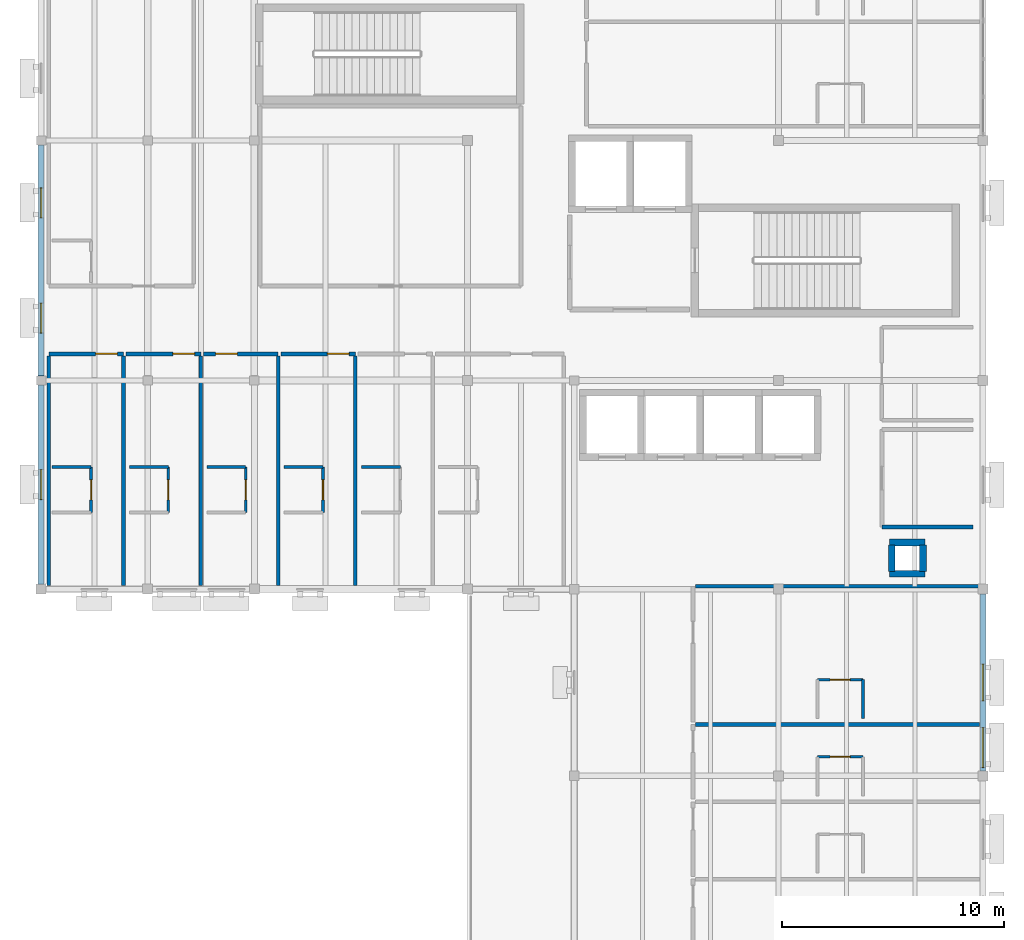
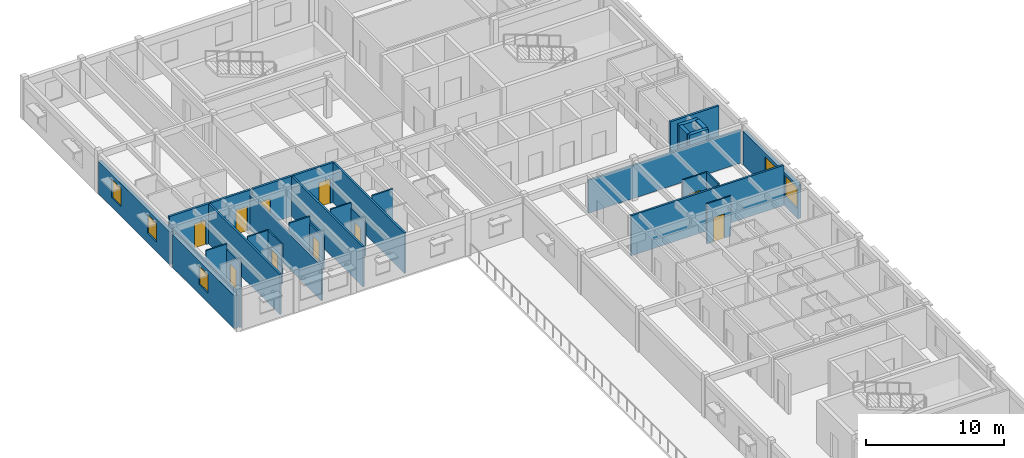
# One storey, part 8 of 18: 31 walls, 10 doors, 5 windows, 15 openings.
"""IFC4 building model written with IfcOpenShell, lengths in metres."""

from ifc_helpers import new_model, si_unit, direction, frame, frame_2d, origin, place, context, subcontext, project, spatial, rectangle, extrude, material, layer, layer_set, type_object, element, fill, save


model = new_model("IFC4")

# Units and contexts
model_context = context("Model", 3, precision=1e-05, world=origin(), true_north=direction((0.0, 1.0)))
body_context = subcontext(model_context, "Body", "Model", "MODEL_VIEW")
ifc_project = project(units=[si_unit("LENGTHUNIT", "METRE"), si_unit("AREAUNIT", "SQUARE_METRE"), si_unit("VOLUMEUNIT", "CUBIC_METRE"), si_unit("PLANEANGLEUNIT", "RADIAN"), si_unit("MASSUNIT", "GRAM", prefix="KILO")], contexts=[model_context])

# Site, building, storey
site_placement = place(None, origin())
site = spatial("IfcSite", under=ifc_project, at=site_placement, CompositionType="ELEMENT")
building_placement = place(site_placement, origin())
building = spatial("IfcBuilding", under=site, at=building_placement, Name="Veldera Park Congress Hotel", CompositionType="ELEMENT")
storey_placement = place(building_placement, frame((0.0, 0.0, 31.39990234375)))
storey = spatial("IfcBuildingStorey", under=building, at=storey_placement, Name="L07", CompositionType="ELEMENT", Elevation=31.39990234375)

# Wall, openings, windows
ifc_material_1 = material(Name="Cross-laminated timber CLT V2M1.1", Category="wood")
ifc_layer_1 = layer(ifc_material_1, 0.280029296875)
ifc_layer_set_1 = layer_set([ifc_layer_1], Name="Cross-laminated timber CLT V2M1.1")
wall_type_1 = type_object("IfcWallType", Name="EW-CLT280", PredefinedType="STANDARD", material=ifc_layer_set_1)
wall_1_placement = place(storey_placement, frame((84.0, 18.822998046875, 0.0), z_axis=(0.0, 0.0, 1.0), x_axis=(0.0, 1.0, 0.0)))
wall_1 = element("IfcWall", 1, at=wall_1_placement, inside=storey, type_object=wall_type_1, Name="L07 Exterior Wall EW3-L07-0348", PredefinedType="STANDARD", context=body_context, shape_type="SweptSolid", body=[
    extrude(rectangle(XDim=7.9541015625, YDim=0.280029296875, at=frame_2d((3.97705078125, 0.0))), origin(), (0.0, 0.0, 1.0), 2.97021484375),
])
opening_1_placement = place(wall_1_placement, frame((3.152099609375, 0.0, 0.85009765625)))
opening_1 = element("IfcOpeningElement", 2, at=opening_1_placement, cuts=wall_1, Name="Opening WIN-1650", PredefinedType="OPENING", context=body_context, shape_type="SweptSolid", body=[
    extrude(rectangle(XDim=1.64990234375, YDim=1.800048828125, at=frame_2d((0.824951171875, 0.89990234375))), frame((0.0, 0.152099609375, 0.0), z_axis=(0.0, -1.0, 0.0), x_axis=(1.0, 0.0, 0.0)), (0.0, 0.0, 1.0), 0.303955078125),
])
opening_2_placement = place(wall_1_placement, frame((0.1435546875, 0.0, 0.85009765625)))
opening_2 = element("IfcOpeningElement", 3, at=opening_2_placement, cuts=wall_1, Name="Opening WIN-1800", PredefinedType="OPENING", context=body_context, shape_type="SweptSolid", body=[
    extrude(rectangle(XDim=1.800048828125, YDim=1.85009765625, at=frame_2d((0.89990234375, 0.925048828125))), frame((0.0, 0.152099609375, 0.0), z_axis=(0.0, -1.0, 0.0), x_axis=(1.0, 0.0, 0.0)), (0.0, 0.0, 1.0), 0.303955078125),
])
ifc_material_2 = material(Name="Low-E Triple Insulating Glass Unit (SHGC 0.22)", Category="glass")
window_type_1 = type_object("IfcWindowType", Name="WIN-1650", PartitioningType="SINGLE_PANEL", PredefinedType="WINDOW", material=ifc_material_2)
window_1_placement = place(opening_1_placement, origin())
window_1 = element("IfcWindow", 4, at=window_1_placement, inside=storey, type_object=window_type_1, Name="L07 Window WIN-1650 261", OverallHeight=1.800048828125, OverallWidth=1.64990234375, PartitioningType="SINGLE_PANEL", PredefinedType="WINDOW", context=body_context, shape_type="SweptSolid", body=[
    extrude(rectangle(XDim=1.64990234375, YDim=1.800048828125, at=frame_2d((0.824951171875, 0.89990234375))), frame((0.0, 0.030029296875, 0.0), z_axis=(0.0, -1.0, 0.0), x_axis=(1.0, 0.0, 0.0)), (0.0, 0.0, 1.0), 0.06005859375),
])
fill(opening_1, window_1)
window_type_2 = type_object("IfcWindowType", Name="WIN-1800", PartitioningType="SINGLE_PANEL", PredefinedType="WINDOW", material=ifc_material_2)
window_2_placement = place(opening_2_placement, origin())
window_2 = element("IfcWindow", 5, at=window_2_placement, inside=storey, type_object=window_type_2, Name="L07 Window WIN-1800 548", OverallHeight=1.85009765625, OverallWidth=1.800048828125, PartitioningType="SINGLE_PANEL", PredefinedType="WINDOW", context=body_context, shape_type="SweptSolid", body=[
    extrude(rectangle(XDim=1.800048828125, YDim=1.85009765625, at=frame_2d((0.89990234375, 0.925048828125))), frame((0.0, 0.030029296875, 0.0), z_axis=(0.0, -1.0, 0.0), x_axis=(1.0, 0.0, 0.0)), (0.0, 0.0, 1.0), 0.06005859375),
])
fill(opening_2, window_2)

wall_2_placement = place(storey_placement, frame((41.60009765625, 46.991943359375, 0.0), z_axis=(0.0, 0.0, 1.0), x_axis=(0.0, -1.0, 0.0)))
wall_2 = element("IfcWall", 6, at=wall_2_placement, inside=storey, type_object=wall_type_1, Name="L07 Exterior Wall EW3-L07-0357", PredefinedType="STANDARD", context=body_context, shape_type="SweptSolid", body=[
    extrude(rectangle(XDim=10.384033203125, YDim=0.280029296875, at=frame_2d((5.19189453125, 0.0))), origin(), (0.0, 0.0, 1.0), 2.91015625),
])
opening_3_placement = place(wall_2_placement, frame((1.9208984375, 0.0, 0.85009765625)))
opening_3 = element("IfcOpeningElement", 7, at=opening_3_placement, cuts=wall_2, Name="Opening WIN-1350", PredefinedType="OPENING", context=body_context, shape_type="SweptSolid", body=[
    extrude(rectangle(XDim=1.35009765625, YDim=1.64990234375, at=frame_2d((0.675048828125, 0.824951171875))), frame((0.0, 0.152099609375, 0.0), z_axis=(0.0, -1.0, 0.0), x_axis=(1.0, 0.0, 0.0)), (0.0, 0.0, 1.0), 0.303955078125),
])
opening_4_placement = place(wall_2_placement, frame((7.113037109375, 0.0, 0.85009765625)))
opening_4 = element("IfcOpeningElement", 8, at=opening_4_placement, cuts=wall_2, Name="Opening WIN-1350", PredefinedType="OPENING", context=body_context, shape_type="SweptSolid", body=[
    extrude(rectangle(XDim=1.35009765625, YDim=1.64990234375, at=frame_2d((0.675048828125, 0.824951171875))), frame((0.0, 0.152099609375, 0.0), z_axis=(0.0, -1.0, 0.0), x_axis=(1.0, 0.0, 0.0)), (0.0, 0.0, 1.0), 0.303955078125),
])
window_type_3 = type_object("IfcWindowType", Name="WIN-1350", PartitioningType="SINGLE_PANEL", PredefinedType="WINDOW", material=ifc_material_2)
window_3_placement = place(opening_3_placement, origin())
window_3 = element("IfcWindow", 9, at=window_3_placement, inside=storey, type_object=window_type_3, Name="L07 Window WIN-1350 270", OverallHeight=1.64990234375, OverallWidth=1.35009765625, PartitioningType="SINGLE_PANEL", PredefinedType="WINDOW", context=body_context, shape_type="SweptSolid", body=[
    extrude(rectangle(XDim=1.35009765625, YDim=1.64990234375, at=frame_2d((0.675048828125, 0.824951171875))), frame((0.0, 0.030029296875, 0.0), z_axis=(0.0, -1.0, 0.0), x_axis=(1.0, 0.0, 0.0)), (0.0, 0.0, 1.0), 0.06005859375),
])
fill(opening_3, window_3)
window_4_placement = place(opening_4_placement, origin())
window_4 = element("IfcWindow", 10, at=window_4_placement, inside=storey, type_object=window_type_3, Name="L07 Window WIN-1350 271", OverallHeight=1.64990234375, OverallWidth=1.35009765625, PartitioningType="SINGLE_PANEL", PredefinedType="WINDOW", context=body_context, shape_type="SweptSolid", body=[
    extrude(rectangle(XDim=1.35009765625, YDim=1.64990234375, at=frame_2d((0.675048828125, 0.824951171875))), frame((0.0, 0.030029296875, 0.0), z_axis=(0.0, -1.0, 0.0), x_axis=(1.0, 0.0, 0.0)), (0.0, 0.0, 1.0), 0.06005859375),
])
fill(opening_4, window_4)

# Wall, opening, window
wall_3_placement = place(storey_placement, frame((41.60009765625, 36.19189453125, 0.0), z_axis=(0.0, 0.0, 1.0), x_axis=(0.0, -1.0, 0.0)))
wall_3 = element("IfcWall", 11, at=wall_3_placement, inside=storey, type_object=wall_type_1, Name="L07 Exterior Wall EW3-L07-0358", PredefinedType="STANDARD", context=body_context, shape_type="SweptSolid", body=[
    extrude(rectangle(XDim=8.968994140625, YDim=0.280029296875, at=frame_2d((4.484375, 0.0))), origin(), (0.0, 0.0, 1.0), 2.93017578125),
])
opening_5_placement = place(wall_3_placement, frame((3.8095703125, 0.0, 0.85009765625)))
opening_5 = element("IfcOpeningElement", 12, at=opening_5_placement, cuts=wall_3, Name="Opening WIN-1350", PredefinedType="OPENING", context=body_context, shape_type="SweptSolid", body=[
    extrude(rectangle(XDim=1.35009765625, YDim=1.64990234375, at=frame_2d((0.675048828125, 0.824951171875))), frame((0.0, 0.152099609375, 0.0), z_axis=(0.0, -1.0, 0.0), x_axis=(1.0, 0.0, 0.0)), (0.0, 0.0, 1.0), 0.303955078125),
])
window_5_placement = place(opening_5_placement, origin())
window_5 = element("IfcWindow", 13, at=window_5_placement, inside=storey, type_object=window_type_3, Name="L07 Window WIN-1350 272", OverallHeight=1.64990234375, OverallWidth=1.35009765625, PartitioningType="SINGLE_PANEL", PredefinedType="WINDOW", context=body_context, shape_type="SweptSolid", body=[
    extrude(rectangle(XDim=1.35009765625, YDim=1.64990234375, at=frame_2d((0.675048828125, 0.824951171875))), frame((0.0, 0.030029296875, 0.0), z_axis=(0.0, -1.0, 0.0), x_axis=(1.0, 0.0, 0.0)), (0.0, 0.0, 1.0), 0.06005859375),
])
fill(opening_5, window_5)

# Wall, opening, door
ifc_material_3 = material(Name="Fire-Rated Gypsum Board on Cold-Formed Steel Studs", Category="steel")
ifc_layer_2 = layer(ifc_material_3, 0.1201171875)
ifc_layer_set_2 = layer_set([ifc_layer_2], Name="Fire-Rated Gypsum Board on Cold-Formed Steel Studs")
wall_type_2 = type_object("IfcWallType", Name="IW-BATH120", PredefinedType="PARTITIONING", material=ifc_layer_set_2)
wall_4_placement = place(storey_placement, frame((76.550048828125, 19.449951171875, 0.0), z_axis=(0.0, 0.0, 1.0), x_axis=(1.0, 0.0, 0.0)))
wall_4 = element("IfcWall", 14, at=wall_4_placement, inside=storey, type_object=wall_type_2, Name="L07 Partition Wall IW3-L07-01425", PredefinedType="PARTITIONING", context=body_context, shape_type="SweptSolid", body=[
    extrude(rectangle(XDim=2.050048828125, YDim=0.1201171875, at=frame_2d((1.02490234375, 0.0))), origin(), (0.0, 0.0, 1.0), 3.55517578125),
])
opening_6_placement = place(wall_4_placement, frame((0.574951171875, 0.0, 0.0)))
opening_6 = element("IfcOpeningElement", 15, at=opening_6_placement, cuts=wall_4, Name="Opening ID-BATH090", PredefinedType="OPENING", context=body_context, shape_type="SweptSolid", body=[
    extrude(rectangle(XDim=0.89990234375, YDim=2.14990234375, at=frame_2d((0.449951171875, 1.074951171875))), frame((0.0, 0.072021484375, 0.0), z_axis=(0.0, -1.0, 0.0), x_axis=(1.0, 0.0, 0.0)), (0.0, 0.0, 1.0), 0.14404296875),
])
ifc_material_4 = material(Name="Solid Core White Oak Architectural Door", Category="wood")
door_type_1 = type_object("IfcDoorType", Name="ID-BATH090", OperationType="NOTDEFINED", PredefinedType="DOOR", material=ifc_material_4)
door_1_placement = place(opening_6_placement, origin())
door_1 = element("IfcDoor", 16, at=door_1_placement, inside=storey, type_object=door_type_1, Name="L07 En-suite 226 Door ID3-L07-0591 (DR3-ID3-L07-0591)", OperationType="SINGLE_SWING_LEFT", OverallHeight=2.14990234375, OverallWidth=0.89990234375, PredefinedType="DOOR", context=body_context, shape_type="SweptSolid", body=[
    extrude(rectangle(XDim=0.89990234375, YDim=2.14990234375, at=frame_2d((0.449951171875, 1.074951171875))), frame((0.0, 0.02490234375, 0.0), z_axis=(0.0, -1.0, 0.0), x_axis=(1.0, 0.0, 0.0)), (0.0, 0.0, 1.0), 0.050048828125),
])
fill(opening_6, door_1)

# Wall
wall_5_placement = place(storey_placement, frame((78.60009765625, 21.179931640625, 0.0), z_axis=(0.0, 0.0, 1.0), x_axis=(0.0, 1.0, 0.0)))
element("IfcWall", 17, at=wall_5_placement, inside=storey, type_object=wall_type_2, Name="L07 Partition Wall IW3-L07-01429", PredefinedType="PARTITIONING", context=body_context, shape_type="SweptSolid", body=[
    extrude(rectangle(XDim=1.75, YDim=0.1201171875, at=frame_2d((0.875, 0.0))), origin(), (0.0, 0.0, 1.0), 3.55517578125),
])

# Wall, opening, door
wall_6_placement = place(storey_placement, frame((76.550048828125, 22.929931640625, 0.0), z_axis=(0.0, 0.0, 1.0), x_axis=(1.0, 0.0, 0.0)))
wall_6 = element("IfcWall", 18, at=wall_6_placement, inside=storey, type_object=wall_type_2, Name="L07 Partition Wall IW3-L07-01430", PredefinedType="PARTITIONING", context=body_context, shape_type="SweptSolid", body=[
    extrude(rectangle(XDim=2.050048828125, YDim=0.1201171875, at=frame_2d((1.02490234375, 0.0))), origin(), (0.0, 0.0, 1.0), 3.55517578125),
])
opening_7_placement = place(wall_6_placement, frame((0.574951171875, 0.0, 0.0)))
opening_7 = element("IfcOpeningElement", 19, at=opening_7_placement, cuts=wall_6, Name="Opening ID-BATH090", PredefinedType="OPENING", context=body_context, shape_type="SweptSolid", body=[
    extrude(rectangle(XDim=0.89990234375, YDim=2.14990234375, at=frame_2d((0.449951171875, 1.074951171875))), frame((0.0, 0.072021484375, 0.0), z_axis=(0.0, -1.0, 0.0), x_axis=(1.0, 0.0, 0.0)), (0.0, 0.0, 1.0), 0.14404296875),
])
door_2_placement = place(opening_7_placement, origin())
door_2 = element("IfcDoor", 20, at=door_2_placement, inside=storey, type_object=door_type_1, Name="L07 En-suite 227 Door ID3-L07-0593 (DR3-ID3-L07-0593)", OperationType="SINGLE_SWING_LEFT", OverallHeight=2.14990234375, OverallWidth=0.89990234375, PredefinedType="DOOR", context=body_context, shape_type="SweptSolid", body=[
    extrude(rectangle(XDim=0.89990234375, YDim=2.14990234375, at=frame_2d((0.449951171875, 1.074951171875))), frame((0.0, 0.02490234375, 0.0), z_axis=(0.0, -1.0, 0.0), x_axis=(1.0, 0.0, 0.0)), (0.0, 0.0, 1.0), 0.050048828125),
])
fill(opening_7, door_2)

# Wall
wall_7_placement = place(storey_placement, frame((42.10009765625, 32.5, 0.0), z_axis=(0.0, 0.0, 1.0), x_axis=(1.0, 0.0, 0.0)))
element("IfcWall", 21, at=wall_7_placement, inside=storey, type_object=wall_type_2, Name="L07 Partition Wall IW3-L07-01434", PredefinedType="PARTITIONING", context=body_context, shape_type="SweptSolid", body=[
    extrude(rectangle(XDim=1.75, YDim=0.1201171875, at=frame_2d((0.875, 0.0))), origin(), (0.0, 0.0, 1.0), 3.55517578125),
])

# Wall, opening, door
wall_8_placement = place(storey_placement, frame((43.85009765625, 30.449951171875, 0.0), z_axis=(0.0, 0.0, 1.0), x_axis=(0.0, 1.0, 0.0)))
wall_8 = element("IfcWall", 22, at=wall_8_placement, inside=storey, type_object=wall_type_2, Name="L07 Partition Wall IW3-L07-01435", PredefinedType="PARTITIONING", context=body_context, shape_type="SweptSolid", body=[
    extrude(rectangle(XDim=2.050048828125, YDim=0.1201171875, at=frame_2d((1.02490234375, 0.0))), origin(), (0.0, 0.0, 1.0), 3.10009765625),
])
opening_8_placement = place(wall_8_placement, frame((0.574951171875, 0.0, 0.0)))
opening_8 = element("IfcOpeningElement", 23, at=opening_8_placement, cuts=wall_8, Name="Opening ID-BATH090", PredefinedType="OPENING", context=body_context, shape_type="SweptSolid", body=[
    extrude(rectangle(XDim=0.89990234375, YDim=2.14990234375, at=frame_2d((0.449951171875, 1.074951171875))), frame((0.0, 0.072021484375, 0.0), z_axis=(0.0, -1.0, 0.0), x_axis=(1.0, 0.0, 0.0)), (0.0, 0.0, 1.0), 0.14404296875),
])
door_3_placement = place(opening_8_placement, origin())
door_3 = element("IfcDoor", 24, at=door_3_placement, inside=storey, type_object=door_type_1, Name="L07 En-suite 228 Door ID3-L07-0595 (DR3-ID3-L07-0595)", OperationType="SINGLE_SWING_LEFT", OverallHeight=2.14990234375, OverallWidth=0.89990234375, PredefinedType="DOOR", context=body_context, shape_type="SweptSolid", body=[
    extrude(rectangle(XDim=0.89990234375, YDim=2.14990234375, at=frame_2d((0.449951171875, 1.074951171875))), frame((0.0, 0.02490234375, 0.0), z_axis=(0.0, -1.0, 0.0), x_axis=(1.0, 0.0, 0.0)), (0.0, 0.0, 1.0), 0.050048828125),
])
fill(opening_8, door_3)

# Wall
wall_9_placement = place(storey_placement, frame((45.580078125, 32.5, 0.0), z_axis=(0.0, 0.0, 1.0), x_axis=(1.0, 0.0, 0.0)))
element("IfcWall", 25, at=wall_9_placement, inside=storey, type_object=wall_type_2, Name="L07 Partition Wall IW3-L07-01439", PredefinedType="PARTITIONING", context=body_context, shape_type="SweptSolid", body=[
    extrude(rectangle(XDim=1.75, YDim=0.1201171875, at=frame_2d((0.875, 0.0))), origin(), (0.0, 0.0, 1.0), 3.55517578125),
])

# Wall, opening, door
wall_10_placement = place(storey_placement, frame((47.330078125, 30.449951171875, 0.0), z_axis=(0.0, 0.0, 1.0), x_axis=(0.0, 1.0, 0.0)))
wall_10 = element("IfcWall", 26, at=wall_10_placement, inside=storey, type_object=wall_type_2, Name="L07 Partition Wall IW3-L07-01440", PredefinedType="PARTITIONING", context=body_context, shape_type="SweptSolid", body=[
    extrude(rectangle(XDim=2.050048828125, YDim=0.1201171875, at=frame_2d((1.02490234375, 0.0))), origin(), (0.0, 0.0, 1.0), 3.55517578125),
])
opening_9_placement = place(wall_10_placement, frame((0.574951171875, 0.0, 0.0)))
opening_9 = element("IfcOpeningElement", 27, at=opening_9_placement, cuts=wall_10, Name="Opening ID-BATH090", PredefinedType="OPENING", context=body_context, shape_type="SweptSolid", body=[
    extrude(rectangle(XDim=0.89990234375, YDim=2.14990234375, at=frame_2d((0.449951171875, 1.074951171875))), frame((0.0, 0.072021484375, 0.0), z_axis=(0.0, -1.0, 0.0), x_axis=(1.0, 0.0, 0.0)), (0.0, 0.0, 1.0), 0.14404296875),
])
door_4_placement = place(opening_9_placement, origin())
door_4 = element("IfcDoor", 28, at=door_4_placement, inside=storey, type_object=door_type_1, Name="L07 En-suite 229 Door ID3-L07-0597 (DR3-ID3-L07-0597)", OperationType="SINGLE_SWING_LEFT", OverallHeight=2.14990234375, OverallWidth=0.89990234375, PredefinedType="DOOR", context=body_context, shape_type="SweptSolid", body=[
    extrude(rectangle(XDim=0.89990234375, YDim=2.14990234375, at=frame_2d((0.449951171875, 1.074951171875))), frame((0.0, 0.02490234375, 0.0), z_axis=(0.0, -1.0, 0.0), x_axis=(1.0, 0.0, 0.0)), (0.0, 0.0, 1.0), 0.050048828125),
])
fill(opening_9, door_4)

# Wall
wall_11_placement = place(storey_placement, frame((49.06005859375, 32.5, 0.0), z_axis=(0.0, 0.0, 1.0), x_axis=(1.0, 0.0, 0.0)))
element("IfcWall", 29, at=wall_11_placement, inside=storey, type_object=wall_type_2, Name="L07 Partition Wall IW3-L07-01444", PredefinedType="PARTITIONING", context=body_context, shape_type="SweptSolid", body=[
    extrude(rectangle(XDim=1.75, YDim=0.1201171875, at=frame_2d((0.875, 0.0))), origin(), (0.0, 0.0, 1.0), 3.55517578125),
])

# Wall, opening, door
wall_12_placement = place(storey_placement, frame((50.81005859375, 30.449951171875, 0.0), z_axis=(0.0, 0.0, 1.0), x_axis=(0.0, 1.0, 0.0)))
wall_12 = element("IfcWall", 30, at=wall_12_placement, inside=storey, type_object=wall_type_2, Name="L07 Partition Wall IW3-L07-01445", PredefinedType="PARTITIONING", context=body_context, shape_type="SweptSolid", body=[
    extrude(rectangle(XDim=2.050048828125, YDim=0.1201171875, at=frame_2d((1.02490234375, 0.0))), origin(), (0.0, 0.0, 1.0), 2.93017578125),
])
opening_10_placement = place(wall_12_placement, frame((0.574951171875, 0.0, 0.0)))
opening_10 = element("IfcOpeningElement", 31, at=opening_10_placement, cuts=wall_12, Name="Opening ID-BATH090", PredefinedType="OPENING", context=body_context, shape_type="SweptSolid", body=[
    extrude(rectangle(XDim=0.89990234375, YDim=2.14990234375, at=frame_2d((0.449951171875, 1.074951171875))), frame((0.0, 0.072021484375, 0.0), z_axis=(0.0, -1.0, 0.0), x_axis=(1.0, 0.0, 0.0)), (0.0, 0.0, 1.0), 0.14404296875),
])
door_5_placement = place(opening_10_placement, origin())
door_5 = element("IfcDoor", 32, at=door_5_placement, inside=storey, type_object=door_type_1, Name="L07 En-suite 230 Door ID3-L07-0599 (DR3-ID3-L07-0599)", OperationType="SINGLE_SWING_LEFT", OverallHeight=2.14990234375, OverallWidth=0.89990234375, PredefinedType="DOOR", context=body_context, shape_type="SweptSolid", body=[
    extrude(rectangle(XDim=0.89990234375, YDim=2.14990234375, at=frame_2d((0.449951171875, 1.074951171875))), frame((0.0, 0.02490234375, 0.0), z_axis=(0.0, -1.0, 0.0), x_axis=(1.0, 0.0, 0.0)), (0.0, 0.0, 1.0), 0.050048828125),
])
fill(opening_10, door_5)

# Wall
wall_13_placement = place(storey_placement, frame((52.5400390625, 32.5, 0.0), z_axis=(0.0, 0.0, 1.0), x_axis=(1.0, 0.0, 0.0)))
element("IfcWall", 33, at=wall_13_placement, inside=storey, type_object=wall_type_2, Name="L07 Partition Wall IW3-L07-01449", PredefinedType="PARTITIONING", context=body_context, shape_type="SweptSolid", body=[
    extrude(rectangle(XDim=1.75, YDim=0.1201171875, at=frame_2d((0.875, 0.0))), origin(), (0.0, 0.0, 1.0), 3.55517578125),
])

# Wall, opening, door
wall_14_placement = place(storey_placement, frame((54.2900390625, 30.449951171875, 0.0), z_axis=(0.0, 0.0, 1.0), x_axis=(0.0, 1.0, 0.0)))
wall_14 = element("IfcWall", 34, at=wall_14_placement, inside=storey, type_object=wall_type_2, Name="L07 Partition Wall IW3-L07-01450", PredefinedType="PARTITIONING", context=body_context, shape_type="SweptSolid", body=[
    extrude(rectangle(XDim=2.050048828125, YDim=0.1201171875, at=frame_2d((1.02490234375, 0.0))), origin(), (0.0, 0.0, 1.0), 3.10009765625),
])
opening_11_placement = place(wall_14_placement, frame((0.574951171875, 0.0, 0.0)))
opening_11 = element("IfcOpeningElement", 35, at=opening_11_placement, cuts=wall_14, Name="Opening ID-BATH090", PredefinedType="OPENING", context=body_context, shape_type="SweptSolid", body=[
    extrude(rectangle(XDim=0.89990234375, YDim=2.14990234375, at=frame_2d((0.449951171875, 1.074951171875))), frame((0.0, 0.072021484375, 0.0), z_axis=(0.0, -1.0, 0.0), x_axis=(1.0, 0.0, 0.0)), (0.0, 0.0, 1.0), 0.14404296875),
])
door_6_placement = place(opening_11_placement, origin())
door_6 = element("IfcDoor", 36, at=door_6_placement, inside=storey, type_object=door_type_1, Name="L07 En-suite 231 Door ID3-L07-0601 (DR3-ID3-L07-0601)", OperationType="SINGLE_SWING_LEFT", OverallHeight=2.14990234375, OverallWidth=0.89990234375, PredefinedType="DOOR", context=body_context, shape_type="SweptSolid", body=[
    extrude(rectangle(XDim=0.89990234375, YDim=2.14990234375, at=frame_2d((0.449951171875, 1.074951171875))), frame((0.0, 0.02490234375, 0.0), z_axis=(0.0, -1.0, 0.0), x_axis=(1.0, 0.0, 0.0)), (0.0, 0.0, 1.0), 0.050048828125),
])
fill(opening_11, door_6)

# Walls
wall_15_placement = place(storey_placement, frame((56.02001953125, 32.5, 0.0), z_axis=(0.0, 0.0, 1.0), x_axis=(1.0, 0.0, 0.0)))
element("IfcWall", 37, at=wall_15_placement, inside=storey, type_object=wall_type_2, Name="L07 Partition Wall IW3-L07-01454", PredefinedType="PARTITIONING", context=body_context, shape_type="SweptSolid", body=[
    extrude(rectangle(XDim=1.75, YDim=0.1201171875, at=frame_2d((0.875, 0.0))), origin(), (0.0, 0.0, 1.0), 3.55517578125),
])
ifc_layer_3 = layer(ifc_material_3, 0.179931640625)
ifc_layer_set_3 = layer_set([ifc_layer_3], Name="Fire-Rated Gypsum Board on Cold-Formed Steel Studs")
wall_type_3 = type_object("IfcWallType", Name="IW-CORR180", PredefinedType="PARTITIONING", material=ifc_layer_set_3)
wall_16_placement = place(storey_placement, frame((79.449951171875, 29.800048828125, 0.0), z_axis=(0.0, 0.0, 1.0), x_axis=(1.0, 0.0, 0.0)))
element("IfcWall", 38, at=wall_16_placement, inside=storey, type_object=wall_type_3, Name="L07 Partition Wall IW3-L07-00290", PredefinedType="PARTITIONING", context=body_context, shape_type="SweptSolid", body=[
    extrude(rectangle(XDim=4.10009765625, YDim=0.179931640625, at=frame_2d((2.050048828125, 0.0))), origin(), (0.0, 0.0, 1.0), 3.55517578125),
])

# Wall, opening, door
wall_17_placement = place(storey_placement, frame((45.31005859375, 37.60009765625, 0.0), z_axis=(0.0, 0.0, 1.0), x_axis=(-1.0, 0.0, 0.0)))
wall_17 = element("IfcWall", 39, at=wall_17_placement, inside=storey, type_object=wall_type_3, Name="L07 Corridor Wall IW3-L07-01431", PredefinedType="PARTITIONING", context=body_context, shape_type="SweptSolid", body=[
    extrude(rectangle(XDim=3.360107421875, YDim=0.179931640625, at=frame_2d((1.68017578125, 0.0))), origin(), (0.0, 0.0, 1.0), 3.55517578125),
])
opening_12_placement = place(wall_17_placement, frame((0.280029296875, 0.0, 0.0)))
opening_12 = element("IfcOpeningElement", 40, at=opening_12_placement, cuts=wall_17, Name="Opening ID-UNIT098", PredefinedType="OPENING", context=body_context, shape_type="SweptSolid", body=[
    extrude(rectangle(XDim=0.97998046875, YDim=2.179931640625, at=frame_2d((0.489990234375, 1.08984375))), frame((0.0, 0.10205078125, 0.0), z_axis=(0.0, -1.0, 0.0), x_axis=(1.0, 0.0, 0.0)), (0.0, 0.0, 1.0), 0.203857421875),
])
door_type_2 = type_object("IfcDoorType", Name="ID-UNIT098", OperationType="NOTDEFINED", PredefinedType="DOOR", material=ifc_material_4)
door_7_placement = place(opening_12_placement, frame((0.97998046875, 0.0, 0.0), z_axis=(0.0, 0.0, 1.0), x_axis=(-1.0, 0.0, 0.0)))
door_7 = element("IfcDoor", 41, at=door_7_placement, inside=storey, type_object=door_type_2, Name="L07 Guestroom 228 Entry Door (DR3-UD3-L07-228)", OperationType="SINGLE_SWING_RIGHT", OverallHeight=2.179931640625, OverallWidth=0.97998046875, PredefinedType="DOOR", context=body_context, shape_type="SweptSolid", body=[
    extrude(rectangle(XDim=0.97998046875, YDim=2.179931640625, at=frame_2d((0.489990234375, 1.08984375))), frame((0.0, 0.02490234375, 0.0), z_axis=(0.0, -1.0, 0.0), x_axis=(1.0, 0.0, 0.0)), (0.0, 0.0, 1.0), 0.050048828125),
])
fill(opening_12, door_7)

wall_18_placement = place(storey_placement, frame((48.7900390625, 37.60009765625, 0.0), z_axis=(0.0, 0.0, 1.0), x_axis=(-1.0, 0.0, 0.0)))
wall_18 = element("IfcWall", 42, at=wall_18_placement, inside=storey, type_object=wall_type_3, Name="L07 Corridor Wall IW3-L07-01437", PredefinedType="PARTITIONING", context=body_context, shape_type="SweptSolid", body=[
    extrude(rectangle(XDim=3.360107421875, YDim=0.179931640625, at=frame_2d((1.68017578125, 0.0))), origin(), (0.0, 0.0, 1.0), 3.55517578125),
])
opening_13_placement = place(wall_18_placement, frame((0.280029296875, 0.0, 0.0)))
opening_13 = element("IfcOpeningElement", 43, at=opening_13_placement, cuts=wall_18, Name="Opening ID-UNIT098", PredefinedType="OPENING", context=body_context, shape_type="SweptSolid", body=[
    extrude(rectangle(XDim=0.97998046875, YDim=2.179931640625, at=frame_2d((0.489990234375, 1.08984375))), frame((0.0, 0.10205078125, 0.0), z_axis=(0.0, -1.0, 0.0), x_axis=(1.0, 0.0, 0.0)), (0.0, 0.0, 1.0), 0.203857421875),
])
door_8_placement = place(opening_13_placement, frame((0.97998046875, 0.0, 0.0), z_axis=(0.0, 0.0, 1.0), x_axis=(-1.0, 0.0, 0.0)))
door_8 = element("IfcDoor", 44, at=door_8_placement, inside=storey, type_object=door_type_2, Name="L07 Guestroom 229 Entry Door (DR3-UD3-L07-229)", OperationType="SINGLE_SWING_RIGHT", OverallHeight=2.179931640625, OverallWidth=0.97998046875, PredefinedType="DOOR", context=body_context, shape_type="SweptSolid", body=[
    extrude(rectangle(XDim=0.97998046875, YDim=2.179931640625, at=frame_2d((0.489990234375, 1.08984375))), frame((0.0, 0.02490234375, 0.0), z_axis=(0.0, -1.0, 0.0), x_axis=(1.0, 0.0, 0.0)), (0.0, 0.0, 1.0), 0.050048828125),
])
fill(opening_13, door_8)

wall_19_placement = place(storey_placement, frame((52.27001953125, 37.60009765625, 0.0), z_axis=(0.0, 0.0, 1.0), x_axis=(-1.0, 0.0, 0.0)))
wall_19 = element("IfcWall", 45, at=wall_19_placement, inside=storey, type_object=wall_type_3, Name="L07 Corridor Wall IW3-L07-01442", PredefinedType="PARTITIONING", context=body_context, shape_type="SweptSolid", body=[
    extrude(rectangle(XDim=3.360107421875, YDim=0.179931640625, at=frame_2d((1.68017578125, 0.0))), origin(), (0.0, 0.0, 1.0), 3.55517578125),
])
opening_14_placement = place(wall_19_placement, frame((1.83203125, 0.0, 0.0)))
opening_14 = element("IfcOpeningElement", 46, at=opening_14_placement, cuts=wall_19, Name="Opening ID-UNIT098", PredefinedType="OPENING", context=body_context, shape_type="SweptSolid", body=[
    extrude(rectangle(XDim=0.97998046875, YDim=2.179931640625, at=frame_2d((0.489990234375, 1.08984375))), frame((0.0, 0.10205078125, 0.0), z_axis=(0.0, -1.0, 0.0), x_axis=(1.0, 0.0, 0.0)), (0.0, 0.0, 1.0), 0.203857421875),
])
door_9_placement = place(opening_14_placement, frame((0.97998046875, 0.0, 0.0), z_axis=(0.0, 0.0, 1.0), x_axis=(-1.0, 0.0, 0.0)))
door_9 = element("IfcDoor", 47, at=door_9_placement, inside=storey, type_object=door_type_2, Name="L07 Guestroom 230 Entry Door (DR3-UD3-L07-230)", OperationType="SINGLE_SWING_RIGHT", OverallHeight=2.179931640625, OverallWidth=0.97998046875, PredefinedType="DOOR", context=body_context, shape_type="SweptSolid", body=[
    extrude(rectangle(XDim=0.97998046875, YDim=2.179931640625, at=frame_2d((0.489990234375, 1.08984375))), frame((0.0, 0.02490234375, 0.0), z_axis=(0.0, -1.0, 0.0), x_axis=(1.0, 0.0, 0.0)), (0.0, 0.0, 1.0), 0.050048828125),
])
fill(opening_14, door_9)

wall_20_placement = place(storey_placement, frame((55.75, 37.60009765625, 0.0), z_axis=(0.0, 0.0, 1.0), x_axis=(-1.0, 0.0, 0.0)))
wall_20 = element("IfcWall", 48, at=wall_20_placement, inside=storey, type_object=wall_type_3, Name="L07 Corridor Wall IW3-L07-01447", PredefinedType="PARTITIONING", context=body_context, shape_type="SweptSolid", body=[
    extrude(rectangle(XDim=3.360107421875, YDim=0.179931640625, at=frame_2d((1.68017578125, 0.0))), origin(), (0.0, 0.0, 1.0), 3.55517578125),
])
opening_15_placement = place(wall_20_placement, frame((0.280029296875, 0.0, 0.0)))
opening_15 = element("IfcOpeningElement", 49, at=opening_15_placement, cuts=wall_20, Name="Opening ID-UNIT098", PredefinedType="OPENING", context=body_context, shape_type="SweptSolid", body=[
    extrude(rectangle(XDim=0.97998046875, YDim=2.179931640625, at=frame_2d((0.489990234375, 1.08984375))), frame((0.0, 0.10205078125, 0.0), z_axis=(0.0, -1.0, 0.0), x_axis=(1.0, 0.0, 0.0)), (0.0, 0.0, 1.0), 0.203857421875),
])
door_10_placement = place(opening_15_placement, frame((0.97998046875, 0.0, 0.0), z_axis=(0.0, 0.0, 1.0), x_axis=(-1.0, 0.0, 0.0)))
door_10 = element("IfcDoor", 50, at=door_10_placement, inside=storey, type_object=door_type_2, Name="L07 Guestroom 231 Entry Door (DR3-UD3-L07-231)", OperationType="SINGLE_SWING_RIGHT", OverallHeight=2.179931640625, OverallWidth=0.97998046875, PredefinedType="DOOR", context=body_context, shape_type="SweptSolid", body=[
    extrude(rectangle(XDim=0.97998046875, YDim=2.179931640625, at=frame_2d((0.489990234375, 1.08984375))), frame((0.0, 0.02490234375, 0.0), z_axis=(0.0, -1.0, 0.0), x_axis=(1.0, 0.0, 0.0)), (0.0, 0.0, 1.0), 0.050048828125),
])
fill(opening_15, door_10)

# Walls
ifc_layer_4 = layer(ifc_material_1, 0.159912109375)
ifc_layer_set_4 = layer_set([ifc_layer_4], Name="Cross-laminated timber CLT V2M1.1")
wall_type_4 = type_object("IfcWallType", Name="IW-UNIT160", PredefinedType="PARTITIONING", material=ifc_layer_set_4)
wall_21_placement = place(storey_placement, frame((71.050048828125, 20.909912109375, 0.0), z_axis=(0.0, 0.0, 1.0), x_axis=(1.0, 0.0, 0.0)))
element("IfcWall", 51, at=wall_21_placement, inside=storey, type_object=wall_type_4, Name="L07 Partition Wall IW3-L07-01422", PredefinedType="PARTITIONING", context=body_context, shape_type="SweptSolid", body=[
    extrude(rectangle(XDim=12.7900390625, YDim=0.159912109375, at=frame_2d((6.39501953125, 0.0))), origin(), (0.0, 0.0, 1.0), 3.55517578125),
])
wall_22_placement = place(storey_placement, frame((71.050048828125, 27.1298828125, 0.0), z_axis=(0.0, 0.0, 1.0), x_axis=(1.0, 0.0, 0.0)))
element("IfcWall", 52, at=wall_22_placement, inside=storey, type_object=wall_type_4, Name="L07 Partition Wall IW3-L07-01427", PredefinedType="PARTITIONING", context=body_context, shape_type="SweptSolid", body=[
    extrude(rectangle(XDim=12.7900390625, YDim=0.159912109375, at=frame_2d((6.39501953125, 0.0))), origin(), (0.0, 0.0, 1.0), 2.93017578125),
])
wall_23_placement = place(storey_placement, frame((41.949951171875, 27.159912109375, 0.0), z_axis=(0.0, 0.0, 1.0), x_axis=(0.0, 1.0, 0.0)))
element("IfcWall", 53, at=wall_23_placement, inside=storey, type_object=wall_type_4, Name="L07 Partition Wall IW3-L07-01432", PredefinedType="PARTITIONING", context=body_context, shape_type="SweptSolid", body=[
    extrude(rectangle(XDim=10.340087890625, YDim=0.159912109375, at=frame_2d((5.169921875, 0.0))), origin(), (0.0, 0.0, 1.0), 2.91015625),
])
wall_24_placement = place(storey_placement, frame((45.31005859375, 27.159912109375, 0.0), z_axis=(0.0, 0.0, 1.0), x_axis=(0.0, 1.0, 0.0)))
element("IfcWall", 54, at=wall_24_placement, inside=storey, type_object=wall_type_4, Name="L07 Partition Wall IW3-L07-01433", PredefinedType="PARTITIONING", context=body_context, shape_type="SweptSolid", body=[
    extrude(rectangle(XDim=10.340087890625, YDim=0.159912109375, at=frame_2d((5.169921875, 0.0))), origin(), (0.0, 0.0, 1.0), 3.55517578125),
])
wall_25_placement = place(storey_placement, frame((48.7900390625, 27.159912109375, 0.0), z_axis=(0.0, 0.0, 1.0), x_axis=(0.0, 1.0, 0.0)))
element("IfcWall", 55, at=wall_25_placement, inside=storey, type_object=wall_type_4, Name="L07 Partition Wall IW3-L07-01438", PredefinedType="PARTITIONING", context=body_context, shape_type="SweptSolid", body=[
    extrude(rectangle(XDim=10.340087890625, YDim=0.159912109375, at=frame_2d((5.169921875, 0.0))), origin(), (0.0, 0.0, 1.0), 3.10009765625),
])
for number, where, z_axis, x_axis, name in (
    (56, (52.27001953125, 27.159912109375, 0.0), (0.0, 0.0, 1.0), (0.0, 1.0, 0.0), "L07 Partition Wall IW3-L07-01443"),
    (57, (55.75, 27.159912109375, 0.0), (0.0, 0.0, 1.0), (0.0, 1.0, 0.0), "L07 Partition Wall IW3-L07-01448"),
):
    element("IfcWall", number, at=place(storey_placement, frame(where, z_axis=z_axis, x_axis=x_axis)), inside=storey, type_object=wall_type_4, Name=name, PredefinedType="PARTITIONING", context=body_context, shape_type="SweptSolid", body=[
        extrude(rectangle(XDim=10.340087890625, YDim=0.159912109375, at=frame_2d((5.169921875, 0.0))), origin(), (0.0, 0.0, 1.0), 3.55517578125),
    ])
ifc_material_5 = material(Name="Concrete f'c 40 MPa (5,800 psi)", Category="concrete")
ifc_layer_5 = layer(ifc_material_5, 0.300048828125)
ifc_layer_set_5 = layer_set([ifc_layer_5], Name="Concrete f'c 40 MPa (5,800 psi)")
wall_type_5 = type_object("IfcWallType", Name="SW-SHFT300", PredefinedType="SHEAR", material=ifc_layer_set_5)
for number, where, z_axis, x_axis, name in (
    (58, (79.800048828125, 27.699951171875, 0.0), (0.0, 0.0, 1.0), (1.0, 0.0, 0.0), "MEP Riser Shaft Wall L07-S"),
    (59, (81.39990234375, 29.10009765625, 0.0), (0.0, 0.0, 1.0), (-1.0, 0.0, 0.0), "MEP Riser Shaft Wall L07-N"),
):
    element("IfcWall", number, at=place(storey_placement, frame(where, z_axis=z_axis, x_axis=x_axis)), inside=storey, type_object=wall_type_5, Name=name, PredefinedType="SHEAR", context=body_context, shape_type="SweptSolid", body=[
        extrude(rectangle(XDim=1.599853515625, YDim=0.300048828125, at=frame_2d((0.7998046875, 0.0))), origin(), (0.0, 0.0, 1.0), 3.55517578125),
    ])
for number, where, z_axis, x_axis, name in (
    (60, (79.89990234375, 29.0, 0.0), (0.0, 0.0, 1.0), (0.0, -1.0, 0.0), "MEP Riser Shaft Wall L07-W"),
    (61, (81.300048828125, 27.800048828125, 0.0), (0.0, 0.0, 1.0), (0.0, 1.0, 0.0), "MEP Riser Shaft Wall L07-E"),
):
    element("IfcWall", number, at=place(storey_placement, frame(where, z_axis=z_axis, x_axis=x_axis)), inside=storey, type_object=wall_type_5, Name=name, PredefinedType="SHEAR", context=body_context, shape_type="SweptSolid", body=[
        extrude(rectangle(XDim=1.199951171875, YDim=0.300048828125, at=frame_2d((0.60009765625, 0.0))), origin(), (0.0, 0.0, 1.0), 3.55517578125),
    ])

save(model, "model.ifc")
